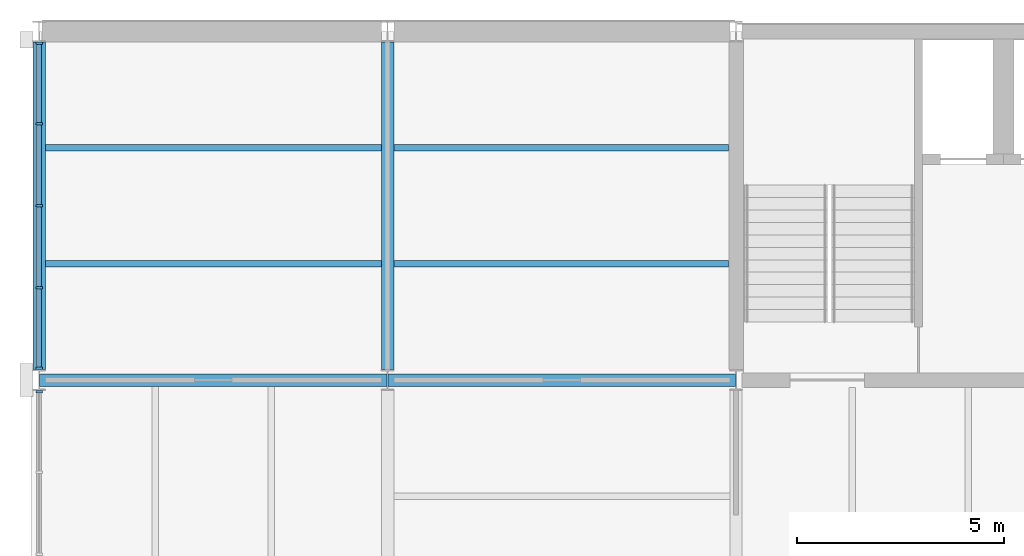
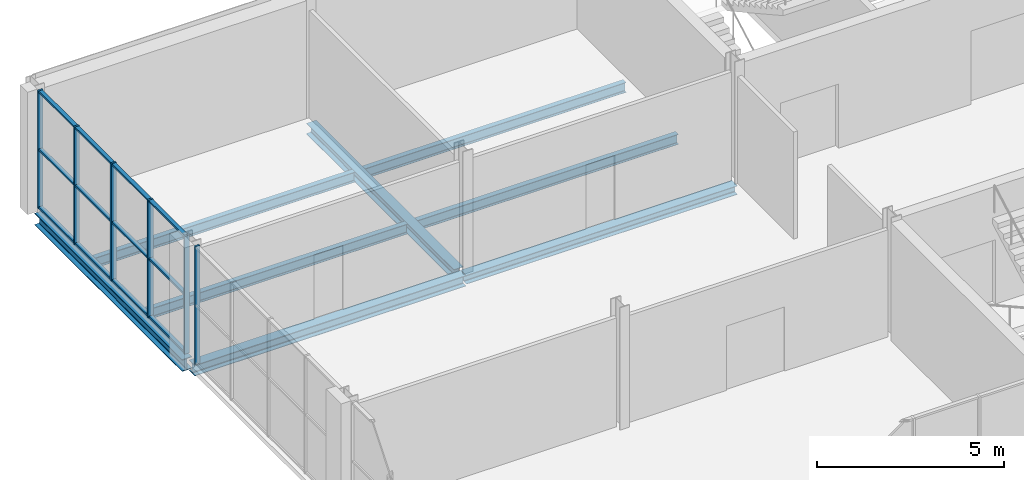
# One storey, part 5 of 12: 18 members, 8 beams, 2 elements without a shape of their own.
"""IFC4 building model written with IfcOpenShell, lengths in metres."""

from ifc_helpers import new_model, si_unit, direction, frame, origin, origin_2d, place, context, subcontext, project, spatial, rectangle, i_section, extrude, material, layer, layer_set, material_profile, profile_set, type_object, element, aggregate, save


model = new_model("IFC4")

# Units and contexts
model_context = context("Model", 3, precision=1e-05, world=origin(), true_north=direction((0.0, 1.0)))
body_context = subcontext(model_context, "Body", "Model", "MODEL_VIEW")
ifc_project = project(units=[si_unit("LENGTHUNIT", "METRE"), si_unit("AREAUNIT", "SQUARE_METRE"), si_unit("VOLUMEUNIT", "CUBIC_METRE"), si_unit("PLANEANGLEUNIT", "RADIAN"), si_unit("MASSUNIT", "GRAM", prefix="KILO")], contexts=[model_context])

# Site, building, storey
site_placement = place(None, origin())
site = spatial("IfcSite", under=ifc_project, at=site_placement, CompositionType="ELEMENT")
building_placement = place(site_placement, origin())
building = spatial("IfcBuilding", under=site, at=building_placement, Name="Galleria Vessillo Department Store", CompositionType="ELEMENT")
storey_placement = place(building_placement, frame((0.0, 0.0, 35.60009765625)))
storey = spatial("IfcBuildingStorey", under=building, at=storey_placement, Name="L07", CompositionType="ELEMENT", Elevation=35.60009765625)

# Curtain wall, member
ifc_material_1 = material(Name="Aluminium and glass curtain wall", Category="aluminium")
ifc_layer = layer(ifc_material_1, 0.159912109375)
ifc_layer_set = layer_set([ifc_layer], Name="Aluminium and glass curtain wall")
curtain_wall_type = type_object("IfcCurtainWallType", Name="Tower curtain wall CW4 2100 module", PredefinedType="NOTDEFINED", material=ifc_layer_set)
curtain_wall_1_placement = place(storey_placement, origin())
curtain_wall_1 = element("IfcCurtainWall", 1, at=curtain_wall_1_placement, inside=storey, type_object=curtain_wall_type, Name="Tower curtain wall CW4 2100 module TW-L07-02", PredefinedType="NOTDEFINED")
ifc_material_2 = material(Name="Aluminium alloy 6063 T6", Category="aluminium")
ifc_material_profile_1 = material_profile(ifc_material_2, rectangle(XDim=0.159912109375, YDim=0.06005859375, at=origin_2d()), Name="AL 60x160")
ifc_profile_set_1 = profile_set([ifc_material_profile_1], Name="Aluminium alloy 6063 T6")
member_type_1 = type_object("IfcMemberType", Name="Aluminium mullion 60 x 160", PredefinedType="MULLION", material=ifc_profile_set_1)
member_1_placement = place(storey_placement, frame((84.0, 54.320068359375, 0.0), z_axis=(0.0, 0.0, 1.0), x_axis=(-1.0, 0.0, 0.0)))
member_1 = element("IfcMember", 2, at=member_1_placement, type_object=member_type_1, Name="CW4 mullion 5", PredefinedType="MULLION", context=body_context, shape_type="SweptSolid", body=[
    extrude(rectangle(XDim=0.159912109375, YDim=0.06005859375, at=origin_2d()), origin(), (0.0, 0.0, 1.0), 3.85009765625),
])
aggregate(curtain_wall_1, [member_1])

# Curtain wall, members
curtain_wall_2_placement = place(storey_placement, origin())
curtain_wall_2 = element("IfcCurtainWall", 3, at=curtain_wall_2_placement, inside=storey, type_object=curtain_wall_type, Name="Tower curtain wall CW4 2100 module TW-L07-03", PredefinedType="NOTDEFINED")
member_2_placement = place(storey_placement, frame((84.0, 54.880126953125, 0.0), z_axis=(0.0, 0.0, 1.0), x_axis=(-1.0, 0.0, 0.0)))
member_2 = element("IfcMember", 4, at=member_2_placement, type_object=member_type_1, Name="CW4 mullion 1", PredefinedType="MULLION", context=body_context, shape_type="SweptSolid", body=[
    extrude(rectangle(XDim=0.159912109375, YDim=0.06005859375, at=origin_2d()), origin(), (0.0, 0.0, 1.0), 3.85009765625),
])
member_3_placement = place(storey_placement, frame((84.0, 56.824951171875, 0.0), z_axis=(0.0, 0.0, 1.0), x_axis=(-1.0, 0.0, 0.0)))
member_3 = element("IfcMember", 5, at=member_3_placement, type_object=member_type_1, Name="CW4 mullion 2", PredefinedType="MULLION", context=body_context, shape_type="SweptSolid", body=[
    extrude(rectangle(XDim=0.159912109375, YDim=0.06005859375, at=origin_2d()), origin(), (0.0, 0.0, 1.0), 3.85009765625),
])
member_4_placement = place(storey_placement, frame((84.0, 58.800048828125, 0.0), z_axis=(0.0, 0.0, 1.0), x_axis=(-1.0, 0.0, 0.0)))
member_4 = element("IfcMember", 6, at=member_4_placement, type_object=member_type_1, Name="CW4 mullion 3", PredefinedType="MULLION", context=body_context, shape_type="SweptSolid", body=[
    extrude(rectangle(XDim=0.159912109375, YDim=0.06005859375, at=origin_2d()), origin(), (0.0, 0.0, 1.0), 3.85009765625),
])
member_5_placement = place(storey_placement, frame((84.0, 60.77490234375, 0.0), z_axis=(0.0, 0.0, 1.0), x_axis=(-1.0, 0.0, 0.0)))
member_5 = element("IfcMember", 7, at=member_5_placement, type_object=member_type_1, Name="CW4 mullion 4", PredefinedType="MULLION", context=body_context, shape_type="SweptSolid", body=[
    extrude(rectangle(XDim=0.159912109375, YDim=0.06005859375, at=origin_2d()), origin(), (0.0, 0.0, 1.0), 3.85009765625),
])
member_6_placement = place(storey_placement, frame((84.0, 62.719970703125, 0.0), z_axis=(0.0, 0.0, 1.0), x_axis=(-1.0, 0.0, 0.0)))
member_6 = element("IfcMember", 8, at=member_6_placement, type_object=member_type_1, Name="CW4 mullion 5", PredefinedType="MULLION", context=body_context, shape_type="SweptSolid", body=[
    extrude(rectangle(XDim=0.159912109375, YDim=0.06005859375, at=origin_2d()), origin(), (0.0, 0.0, 1.0), 3.85009765625),
])
ifc_material_3 = material(Name="Aluminium alloy 6063 T6", Category="aluminium")
ifc_material_profile_2 = material_profile(ifc_material_3, rectangle(XDim=0.1201171875, YDim=0.06005859375, at=origin_2d()), Name="AL 60x120")
ifc_profile_set_2 = profile_set([ifc_material_profile_2], Name="Aluminium alloy 6063 T6")
member_type_2 = type_object("IfcMemberType", Name="Aluminium transom 60 x 120", PredefinedType="USERDEFINED", material=ifc_profile_set_2)
member_7_placement = place(storey_placement, frame((84.0, 54.91015625, 0.030029296875), z_axis=(0.0, 1.0, 0.0), x_axis=(-1.0, 0.0, 0.0)))
member_7 = element("IfcMember", 9, at=member_7_placement, type_object=member_type_2, Name="CW4 transom 1.1", ObjectType="TRANSOM", PredefinedType="USERDEFINED", context=body_context, shape_type="SweptSolid", body=[
    extrude(rectangle(XDim=0.1201171875, YDim=0.06005859375, at=origin_2d()), origin(), (0.0, 0.0, 1.0), 1.885009765625),
])
member_8_placement = place(storey_placement, frame((84.0, 54.91015625, 1.925048828125), z_axis=(0.0, 1.0, 0.0), x_axis=(-1.0, 0.0, 0.0)))
member_8 = element("IfcMember", 10, at=member_8_placement, type_object=member_type_2, Name="CW4 transom 1.2", ObjectType="TRANSOM", PredefinedType="USERDEFINED", context=body_context, shape_type="SweptSolid", body=[
    extrude(rectangle(XDim=0.1201171875, YDim=0.06005859375, at=origin_2d()), origin(), (0.0, 0.0, 1.0), 1.885009765625),
])
member_9_placement = place(storey_placement, frame((84.0, 54.91015625, 3.820068359375), z_axis=(0.0, 1.0, 0.0), x_axis=(-1.0, 0.0, 0.0)))
member_9 = element("IfcMember", 11, at=member_9_placement, type_object=member_type_2, Name="CW4 transom 1.3", ObjectType="TRANSOM", PredefinedType="USERDEFINED", context=body_context, shape_type="SweptSolid", body=[
    extrude(rectangle(XDim=0.1201171875, YDim=0.06005859375, at=origin_2d()), origin(), (0.0, 0.0, 1.0), 1.885009765625),
])
member_10_placement = place(storey_placement, frame((84.0, 56.85498046875, 0.030029296875), z_axis=(0.0, 1.0, 0.0), x_axis=(-1.0, 0.0, 0.0)))
member_10 = element("IfcMember", 12, at=member_10_placement, type_object=member_type_2, Name="CW4 transom 2.1", ObjectType="TRANSOM", PredefinedType="USERDEFINED", context=body_context, shape_type="SweptSolid", body=[
    extrude(rectangle(XDim=0.1201171875, YDim=0.06005859375, at=origin_2d()), origin(), (0.0, 0.0, 1.0), 1.9150390625),
])
member_11_placement = place(storey_placement, frame((84.0, 56.85498046875, 1.925048828125), z_axis=(0.0, 1.0, 0.0), x_axis=(-1.0, 0.0, 0.0)))
member_11 = element("IfcMember", 13, at=member_11_placement, type_object=member_type_2, Name="CW4 transom 2.2", ObjectType="TRANSOM", PredefinedType="USERDEFINED", context=body_context, shape_type="SweptSolid", body=[
    extrude(rectangle(XDim=0.1201171875, YDim=0.06005859375, at=origin_2d()), origin(), (0.0, 0.0, 1.0), 1.9150390625),
])
member_12_placement = place(storey_placement, frame((84.0, 56.85498046875, 3.820068359375), z_axis=(0.0, 1.0, 0.0), x_axis=(-1.0, 0.0, 0.0)))
member_12 = element("IfcMember", 14, at=member_12_placement, type_object=member_type_2, Name="CW4 transom 2.3", ObjectType="TRANSOM", PredefinedType="USERDEFINED", context=body_context, shape_type="SweptSolid", body=[
    extrude(rectangle(XDim=0.1201171875, YDim=0.06005859375, at=origin_2d()), origin(), (0.0, 0.0, 1.0), 1.9150390625),
])
member_13_placement = place(storey_placement, frame((84.0, 58.830078125, 0.030029296875), z_axis=(0.0, 1.0, 0.0), x_axis=(-1.0, 0.0, 0.0)))
member_13 = element("IfcMember", 15, at=member_13_placement, type_object=member_type_2, Name="CW4 transom 3.1", ObjectType="TRANSOM", PredefinedType="USERDEFINED", context=body_context, shape_type="SweptSolid", body=[
    extrude(rectangle(XDim=0.1201171875, YDim=0.06005859375, at=origin_2d()), origin(), (0.0, 0.0, 1.0), 1.9150390625),
])
member_14_placement = place(storey_placement, frame((84.0, 58.830078125, 1.925048828125), z_axis=(0.0, 1.0, 0.0), x_axis=(-1.0, 0.0, 0.0)))
member_14 = element("IfcMember", 16, at=member_14_placement, type_object=member_type_2, Name="CW4 transom 3.2", ObjectType="TRANSOM", PredefinedType="USERDEFINED", context=body_context, shape_type="SweptSolid", body=[
    extrude(rectangle(XDim=0.1201171875, YDim=0.06005859375, at=origin_2d()), origin(), (0.0, 0.0, 1.0), 1.9150390625),
])
member_15_placement = place(storey_placement, frame((84.0, 58.830078125, 3.820068359375), z_axis=(0.0, 1.0, 0.0), x_axis=(-1.0, 0.0, 0.0)))
member_15 = element("IfcMember", 17, at=member_15_placement, type_object=member_type_2, Name="CW4 transom 3.3", ObjectType="TRANSOM", PredefinedType="USERDEFINED", context=body_context, shape_type="SweptSolid", body=[
    extrude(rectangle(XDim=0.1201171875, YDim=0.06005859375, at=origin_2d()), origin(), (0.0, 0.0, 1.0), 1.9150390625),
])
member_16_placement = place(storey_placement, frame((84.0, 60.804931640625, 0.030029296875), z_axis=(0.0, 1.0, 0.0), x_axis=(-1.0, 0.0, 0.0)))
member_16 = element("IfcMember", 18, at=member_16_placement, type_object=member_type_2, Name="CW4 transom 4.1", ObjectType="TRANSOM", PredefinedType="USERDEFINED", context=body_context, shape_type="SweptSolid", body=[
    extrude(rectangle(XDim=0.1201171875, YDim=0.06005859375, at=origin_2d()), origin(), (0.0, 0.0, 1.0), 1.885009765625),
])
member_17_placement = place(storey_placement, frame((84.0, 60.804931640625, 1.925048828125), z_axis=(0.0, 1.0, 0.0), x_axis=(-1.0, 0.0, 0.0)))
member_17 = element("IfcMember", 19, at=member_17_placement, type_object=member_type_2, Name="CW4 transom 4.2", ObjectType="TRANSOM", PredefinedType="USERDEFINED", context=body_context, shape_type="SweptSolid", body=[
    extrude(rectangle(XDim=0.1201171875, YDim=0.06005859375, at=origin_2d()), origin(), (0.0, 0.0, 1.0), 1.885009765625),
])
member_18_placement = place(storey_placement, frame((84.0, 60.804931640625, 3.820068359375), z_axis=(0.0, 1.0, 0.0), x_axis=(-1.0, 0.0, 0.0)))
member_18 = element("IfcMember", 20, at=member_18_placement, type_object=member_type_2, Name="CW4 transom 4.3", ObjectType="TRANSOM", PredefinedType="USERDEFINED", context=body_context, shape_type="SweptSolid", body=[
    extrude(rectangle(XDim=0.1201171875, YDim=0.06005859375, at=origin_2d()), origin(), (0.0, 0.0, 1.0), 1.885009765625),
])
aggregate(curtain_wall_2, [member_2, member_3, member_4, member_5, member_6, member_7, member_8, member_9, member_10, member_11, member_12, member_13, member_14, member_15, member_16, member_17, member_18])

# Beams
ifc_material_4 = material(Name="Steel S355 J2", Category="steel")
ifc_material_profile_3 = material_profile(ifc_material_4, i_section(OverallWidth=0.300048828125, OverallDepth=0.35009765625, WebThickness=0.010009765625, FlangeThickness=0.017578125, FilletRadius=0.027099609375, at=origin_2d()), Name="HEA 360")
ifc_profile_set_3 = profile_set([ifc_material_profile_3], Name="Steel S355 J2")
beam_type_1 = type_object("IfcBeamType", Name="Floor girder HEA 360", PredefinedType="BEAM", material=ifc_profile_set_3)
beam_1_placement = place(storey_placement, frame((84.00732421875, 54.60009765625, -0.324951171875), z_axis=(1.0, 0.0, 0.0), x_axis=(0.0, 1.0, 0.0)))
element("IfcBeam", 21, at=beam_1_placement, inside=storey, type_object=beam_type_1, Name="S-BM-L07-GI-x54600-84007", PredefinedType="BEAM", context=body_context, shape_type="SweptSolid", body=[
    extrude(i_section(OverallWidth=0.300048828125, OverallDepth=0.35009765625, WebThickness=0.010009765625, FlangeThickness=0.017578125, FilletRadius=0.027099609375, at=origin_2d()), origin(), (0.0, 0.0, 1.0), 8.38525390625),
])
beam_2_placement = place(storey_placement, frame((92.39990234375, 54.85009765625, -0.324951171875), z_axis=(0.0, 1.0, 0.0), x_axis=(-1.0, 0.0, 0.0)))
element("IfcBeam", 22, at=beam_2_placement, inside=storey, type_object=beam_type_1, Name="S-BM-L07-GI-y92400-54850", PredefinedType="BEAM", context=body_context, shape_type="SweptSolid", body=[
    extrude(i_section(OverallWidth=0.300048828125, OverallDepth=0.35009765625, WebThickness=0.010009765625, FlangeThickness=0.017578125, FilletRadius=0.027099609375, at=origin_2d()), origin(), (0.0, 0.0, 1.0), 7.899658203125),
])
ifc_material_5 = material(Name="Steel S355 J2", Category="steel")
ifc_material_profile_4 = material_profile(ifc_material_5, i_section(OverallWidth=0.159912109375, OverallDepth=0.330078125, WebThickness=0.007568359375, FlangeThickness=0.011474609375, FilletRadius=0.01806640625, at=origin_2d()), Name="IPE 330")
ifc_profile_set_4 = profile_set([ifc_material_profile_4], Name="Steel S355 J2")
beam_type_2 = type_object("IfcBeamType", Name="Floor joist IPE 330", PredefinedType="JOIST", material=ifc_profile_set_4)
for number, where, z_axis, x_axis, name in (
    (23, (84.150146484375, 57.39990234375, -0.31494140625), (1.0, 0.0, 0.0), (0.0, 1.0, 0.0), "S-BM-L07-JO-x57400-84150"),
    (24, (84.150146484375, 60.199951171875, -0.31494140625), (1.0, 0.0, 0.0), (0.0, 1.0, 0.0), "S-BM-L07-JO-x60200-84150"),
):
    element("IfcBeam", number, at=place(storey_placement, frame(where, z_axis=z_axis, x_axis=x_axis)), inside=storey, type_object=beam_type_2, Name=name, PredefinedType="JOIST", context=body_context, shape_type="SweptSolid", body=[
        extrude(i_section(OverallWidth=0.159912109375, OverallDepth=0.330078125, WebThickness=0.007568359375, FlangeThickness=0.011474609375, FilletRadius=0.01806640625, at=origin_2d()), origin(), (0.0, 0.0, 1.0), 8.099609375),
    ])
for number, where, z_axis, x_axis, name in (
    (25, (92.550048828125, 57.39990234375, -0.31494140625), (1.0, 0.0, 0.0), (0.0, 1.0, 0.0), "S-BM-L07-JO-x57400-92550"),
    (26, (92.550048828125, 60.199951171875, -0.31494140625), (1.0, 0.0, 0.0), (0.0, 1.0, 0.0), "S-BM-L07-JO-x60200-92550"),
):
    element("IfcBeam", number, at=place(storey_placement, frame(where, z_axis=z_axis, x_axis=x_axis)), inside=storey, type_object=beam_type_2, Name=name, PredefinedType="JOIST", context=body_context, shape_type="SweptSolid", body=[
        extrude(i_section(OverallWidth=0.159912109375, OverallDepth=0.330078125, WebThickness=0.007568359375, FlangeThickness=0.011474609375, FilletRadius=0.01806640625, at=origin_2d()), origin(), (0.0, 0.0, 1.0), 8.07470703125),
    ])
ifc_material_6 = material(Name="Steel S355 J2", Category="steel")
ifc_material_profile_5 = material_profile(ifc_material_6, i_section(OverallWidth=0.300048828125, OverallDepth=0.2900390625, WebThickness=0.008544921875, FlangeThickness=0.013916015625, FilletRadius=0.027099609375, at=origin_2d()), Name="HEA 300")
ifc_profile_set_5 = profile_set([ifc_material_profile_5], Name="Steel S355 J2")
beam_type_3 = type_object("IfcBeamType", Name="Floor tie girder HEA 300", PredefinedType="BEAM", material=ifc_profile_set_5)
beam_3_placement = place(storey_placement, frame((92.407470703125, 54.60009765625, -0.294921875), z_axis=(1.0, 0.0, 0.0), x_axis=(0.0, 1.0, 0.0)))
element("IfcBeam", 27, at=beam_3_placement, inside=storey, type_object=beam_type_3, Name="S-BM-L07-TI-x54600-92407", PredefinedType="BEAM", context=body_context, shape_type="SweptSolid", body=[
    extrude(i_section(OverallWidth=0.300048828125, OverallDepth=0.2900390625, WebThickness=0.008544921875, FlangeThickness=0.013916015625, FilletRadius=0.027099609375, at=origin_2d()), origin(), (0.0, 0.0, 1.0), 8.38525390625),
])
ifc_material_7 = material(Name="Steel S355 J2", Category="steel")
ifc_material_profile_6 = material_profile(ifc_material_7, i_section(OverallWidth=0.300048828125, OverallDepth=0.389892578125, WebThickness=0.010986328125, FlangeThickness=0.01904296875, FilletRadius=0.027099609375, at=origin_2d()), Name="HEA 400")
ifc_profile_set_6 = profile_set([ifc_material_profile_6], Name="Steel S355 J2")
beam_type_4 = type_object("IfcBeamType", Name="Trimmer beam HEA 400", PredefinedType="BEAM", material=ifc_profile_set_6)
beam_4_placement = place(storey_placement, frame((84.0, 54.85009765625, -0.344970703125), z_axis=(0.0, 1.0, 0.0), x_axis=(-1.0, 0.0, 0.0)))
element("IfcBeam", 28, at=beam_4_placement, inside=storey, type_object=beam_type_4, Name="S-BM-L07-TR-y84000-54850", PredefinedType="BEAM", context=body_context, shape_type="SweptSolid", body=[
    extrude(i_section(OverallWidth=0.300048828125, OverallDepth=0.389892578125, WebThickness=0.010986328125, FlangeThickness=0.01904296875, FilletRadius=0.027099609375, at=origin_2d()), origin(), (0.0, 0.0, 1.0), 7.899658203125),
])

save(model, "model.ifc")
